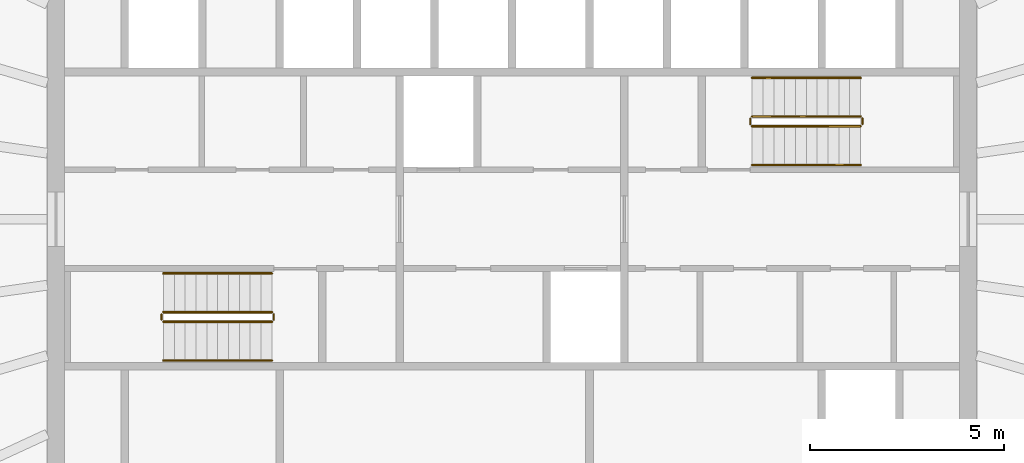
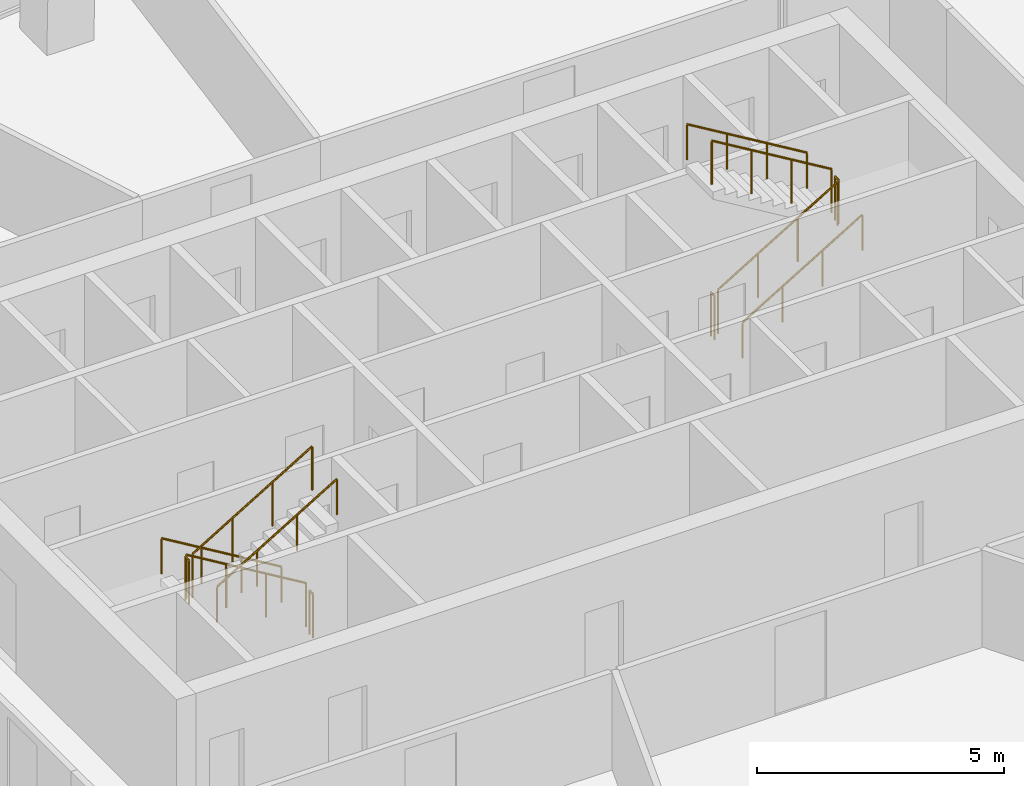
# One storey, part 10 of 10: 12 railings.
"""IFC4 building model written with IfcOpenShell, lengths in metres."""

from ifc_helpers import new_model, si_unit, direction, frame, origin, origin_2d, place, context, subcontext, project, spatial, circle, extrude, material, type_object, element, save


model = new_model("IFC4")

# Units and contexts
model_context = context("Model", 3, precision=1e-05, world=origin(), true_north=direction((0.0, 1.0)))
body_context = subcontext(model_context, "Body", "Model", "MODEL_VIEW")
ifc_project = project(units=[si_unit("LENGTHUNIT", "METRE"), si_unit("AREAUNIT", "SQUARE_METRE"), si_unit("VOLUMEUNIT", "CUBIC_METRE"), si_unit("PLANEANGLEUNIT", "RADIAN"), si_unit("MASSUNIT", "GRAM", prefix="KILO")], contexts=[model_context])

# Site, building, storey
site_placement = place(None, origin())
site = spatial("IfcSite", under=ifc_project, at=site_placement, CompositionType="ELEMENT")
building_placement = place(site_placement, origin())
building = spatial("IfcBuilding", under=site, at=building_placement, Name="Siaravel Broadcast Tower", CompositionType="ELEMENT")
storey_placement = place(building_placement, frame((0.0, 0.0, 164.5)))
storey = spatial("IfcBuildingStorey", under=building, at=storey_placement, Name="L39", CompositionType="ELEMENT", Elevation=164.5)

# Railings
ifc_material = material(Name="Stainless steel 316L", Category="steel")
railing_type_1 = type_object("IfcRailingType", Name="Stair guard 1100", PredefinedType="GUARDRAIL", material=ifc_material)
railing_1_placement = place(storey_placement, frame((-6.199951171875, -2.39990234375, 0.168212890625)))
element("IfcRailing", 1, at=railing_1_placement, inside=storey, type_object=railing_type_1, Name="L39 ST-1 stair guard 1", PredefinedType="GUARDRAIL", context=body_context, shape_type="SweptSolid", body=[
    extrude(circle(Radius=0.02392578125, at=origin_2d()), frame((0.0, 0.0, 1.076171875), z_axis=(-0.857242211, 0.0, 0.514913383), x_axis=(0.0, -1.0, 0.0)), (0.0, 0.0, 1.0), 3.266357421875),
    extrude(circle(Radius=0.02099609375, at=origin_2d()), origin(), (0.0, 0.0, 1.0), 1.052001953125),
    extrude(circle(Radius=0.02099609375, at=origin_2d()), frame((-0.933349609375, 0.0, 0.560546875)), (0.0, 0.0, 1.0), 1.052001953125),
    extrude(circle(Radius=0.02099609375, at=origin_2d()), frame((-1.86669921875, 0.0, 1.121337890625)), (0.0, 0.0, 1.0), 1.052001953125),
    extrude(circle(Radius=0.02099609375, at=origin_2d()), frame((-2.800048828125, 0.0, 1.681884765625)), (0.0, 0.0, 1.0), 1.052001953125),
])
railing_2_placement = place(storey_placement, frame((-9.050048828125, -2.449951171875, 1.85009765625)))
element("IfcRailing", 2, at=railing_2_placement, inside=storey, type_object=railing_type_1, Name="L39 ST-1 stair guard 2", PredefinedType="GUARDRAIL", context=body_context, shape_type="SweptSolid", body=[
    extrude(circle(Radius=0.02392578125, at=origin_2d()), frame((0.0, 0.0, 1.076171875), z_axis=(0.0, -1.0, 0.0), x_axis=(1.0, 0.0, 0.0)), (0.0, 0.0, 1.0), 0.150146484375),
    extrude(circle(Radius=0.02099609375, at=origin_2d()), origin(), (0.0, 0.0, 1.0), 1.052001953125),
    extrude(circle(Radius=0.02099609375, at=origin_2d()), frame((0.0, -0.150146484375, 0.0)), (0.0, 0.0, 1.0), 1.052001953125),
])
railing_3_placement = place(storey_placement, frame((-9.0, -2.64990234375, 2.01806640625)))
element("IfcRailing", 3, at=railing_3_placement, inside=storey, type_object=railing_type_1, Name="L39 ST-1 stair guard 3", PredefinedType="GUARDRAIL", context=body_context, shape_type="SweptSolid", body=[
    extrude(circle(Radius=0.02392578125, at=origin_2d()), frame((0.0, 0.0, 1.076171875), z_axis=(0.857242211, 0.0, 0.514913383), x_axis=(0.0, 1.0, 0.0)), (0.0, 0.0, 1.0), 3.266357421875),
    extrude(circle(Radius=0.02099609375, at=origin_2d()), origin(), (0.0, 0.0, 1.0), 1.052001953125),
    extrude(circle(Radius=0.02099609375, at=origin_2d()), frame((0.933349609375, 0.0, 0.560546875)), (0.0, 0.0, 1.0), 1.052001953125),
    extrude(circle(Radius=0.02099609375, at=origin_2d()), frame((1.86669921875, 0.0, 1.121337890625)), (0.0, 0.0, 1.0), 1.052001953125),
    extrude(circle(Radius=0.02099609375, at=origin_2d()), frame((2.800048828125, 0.0, 1.681884765625)), (0.0, 0.0, 1.0), 1.052001953125),
])
railing_4_placement = place(storey_placement, frame((-6.14990234375, -2.449951171875, 0.0)))
element("IfcRailing", 4, at=railing_4_placement, inside=storey, type_object=railing_type_1, Name="L39 ST-1 stair guard 4", PredefinedType="GUARDRAIL", context=body_context, shape_type="SweptSolid", body=[
    extrude(circle(Radius=0.02392578125, at=origin_2d()), frame((0.0, 0.0, 1.076171875), z_axis=(0.0, -1.0, 0.0), x_axis=(1.0, 0.0, 0.0)), (0.0, 0.0, 1.0), 0.150146484375),
    extrude(circle(Radius=0.02099609375, at=origin_2d()), origin(), (0.0, 0.0, 1.0), 1.052001953125),
    extrude(circle(Radius=0.02099609375, at=origin_2d()), frame((0.0, -0.150146484375, 0.0)), (0.0, 0.0, 1.0), 1.052001953125),
])
railing_5_placement = place(storey_placement, frame((6.199951171875, 2.39990234375, 0.168212890625)))
element("IfcRailing", 5, at=railing_5_placement, inside=storey, type_object=railing_type_1, Name="L39 ST-2 stair guard 1", PredefinedType="GUARDRAIL", context=body_context, shape_type="SweptSolid", body=[
    extrude(circle(Radius=0.02392578125, at=origin_2d()), frame((0.0, 0.0, 1.076171875), z_axis=(0.857242211, 0.0, 0.514913383), x_axis=(0.0, 1.0, 0.0)), (0.0, 0.0, 1.0), 3.266357421875),
    extrude(circle(Radius=0.02099609375, at=origin_2d()), origin(), (0.0, 0.0, 1.0), 1.052001953125),
    extrude(circle(Radius=0.02099609375, at=origin_2d()), frame((0.933349609375, 0.0, 0.560546875)), (0.0, 0.0, 1.0), 1.052001953125),
    extrude(circle(Radius=0.02099609375, at=origin_2d()), frame((1.86669921875, 0.0, 1.121337890625)), (0.0, 0.0, 1.0), 1.052001953125),
    extrude(circle(Radius=0.02099609375, at=origin_2d()), frame((2.800048828125, 0.0, 1.681884765625)), (0.0, 0.0, 1.0), 1.052001953125),
])
railing_6_placement = place(storey_placement, frame((9.050048828125, 2.449951171875, 1.85009765625)))
element("IfcRailing", 6, at=railing_6_placement, inside=storey, type_object=railing_type_1, Name="L39 ST-2 stair guard 2", PredefinedType="GUARDRAIL", context=body_context, shape_type="SweptSolid", body=[
    extrude(circle(Radius=0.02392578125, at=origin_2d()), frame((0.0, 0.0, 1.076171875), z_axis=(0.0, 1.0, 0.0), x_axis=(-1.0, 0.0, 0.0)), (0.0, 0.0, 1.0), 0.150146484375),
    extrude(circle(Radius=0.02099609375, at=origin_2d()), origin(), (0.0, 0.0, 1.0), 1.052001953125),
    extrude(circle(Radius=0.02099609375, at=origin_2d()), frame((0.0, 0.150146484375, 0.0)), (0.0, 0.0, 1.0), 1.052001953125),
])
railing_7_placement = place(storey_placement, frame((9.0, 2.64990234375, 2.01806640625)))
element("IfcRailing", 7, at=railing_7_placement, inside=storey, type_object=railing_type_1, Name="L39 ST-2 stair guard 3", PredefinedType="GUARDRAIL", context=body_context, shape_type="SweptSolid", body=[
    extrude(circle(Radius=0.02392578125, at=origin_2d()), frame((0.0, 0.0, 1.076171875), z_axis=(-0.857242211, 0.0, 0.514913383), x_axis=(0.0, -1.0, 0.0)), (0.0, 0.0, 1.0), 3.266357421875),
    extrude(circle(Radius=0.02099609375, at=origin_2d()), origin(), (0.0, 0.0, 1.0), 1.052001953125),
    extrude(circle(Radius=0.02099609375, at=origin_2d()), frame((-0.933349609375, 0.0, 0.560546875)), (0.0, 0.0, 1.0), 1.052001953125),
    extrude(circle(Radius=0.02099609375, at=origin_2d()), frame((-1.86669921875, 0.0, 1.121337890625)), (0.0, 0.0, 1.0), 1.052001953125),
    extrude(circle(Radius=0.02099609375, at=origin_2d()), frame((-2.800048828125, 0.0, 1.681884765625)), (0.0, 0.0, 1.0), 1.052001953125),
])
railing_8_placement = place(storey_placement, frame((6.14990234375, 2.449951171875, 0.0)))
element("IfcRailing", 8, at=railing_8_placement, inside=storey, type_object=railing_type_1, Name="L39 ST-2 stair guard 4", PredefinedType="GUARDRAIL", context=body_context, shape_type="SweptSolid", body=[
    extrude(circle(Radius=0.02392578125, at=origin_2d()), frame((0.0, 0.0, 1.076171875), z_axis=(0.0, 1.0, 0.0), x_axis=(-1.0, 0.0, 0.0)), (0.0, 0.0, 1.0), 0.150146484375),
    extrude(circle(Radius=0.02099609375, at=origin_2d()), origin(), (0.0, 0.0, 1.0), 1.052001953125),
    extrude(circle(Radius=0.02099609375, at=origin_2d()), frame((0.0, 0.150146484375, 0.0)), (0.0, 0.0, 1.0), 1.052001953125),
])
railing_type_2 = type_object("IfcRailingType", Name="Stair handrail 900", PredefinedType="HANDRAIL", material=ifc_material)
railing_9_placement = place(storey_placement, frame((-6.199951171875, -1.39990234375, 0.168212890625)))
element("IfcRailing", 9, at=railing_9_placement, inside=storey, type_object=railing_type_2, Name="L39 ST-1 stair handrail 1", PredefinedType="HANDRAIL", context=body_context, shape_type="SweptSolid", body=[
    extrude(circle(Radius=0.02392578125, at=origin_2d()), frame((0.0, 0.0, 0.8759765625), z_axis=(-0.857242211, 0.0, 0.514913383), x_axis=(0.0, -1.0, 0.0)), (0.0, 0.0, 1.0), 3.266357421875),
    extrude(circle(Radius=0.02099609375, at=origin_2d()), origin(), (0.0, 0.0, 1.0), 0.851806640625),
    extrude(circle(Radius=0.02099609375, at=origin_2d()), frame((-0.933349609375, 0.0, 0.560546875)), (0.0, 0.0, 1.0), 0.851806640625),
    extrude(circle(Radius=0.02099609375, at=origin_2d()), frame((-1.86669921875, 0.0, 1.121337890625)), (0.0, 0.0, 1.0), 0.851806640625),
    extrude(circle(Radius=0.02099609375, at=origin_2d()), frame((-2.800048828125, 0.0, 1.681884765625)), (0.0, 0.0, 1.0), 0.851806640625),
])
for number, where, name in (
    (10, (-9.0, -3.64990234375, 2.01806640625), "L39 ST-1 stair handrail 2"),
    (11, (6.199951171875, 1.39990234375, 0.168212890625), "L39 ST-2 stair handrail 1"),
):
    element("IfcRailing", number, at=place(storey_placement, frame(where)), inside=storey, type_object=railing_type_2, Name=name, PredefinedType="HANDRAIL", context=body_context, shape_type="SweptSolid", body=[
        extrude(circle(Radius=0.02392578125, at=origin_2d()), frame((0.0, 0.0, 0.8759765625), z_axis=(0.857242211, 0.0, 0.514913383), x_axis=(0.0, 1.0, 0.0)), (0.0, 0.0, 1.0), 3.266357421875),
        extrude(circle(Radius=0.02099609375, at=origin_2d()), origin(), (0.0, 0.0, 1.0), 0.851806640625),
        extrude(circle(Radius=0.02099609375, at=origin_2d()), frame((0.933349609375, 0.0, 0.560546875)), (0.0, 0.0, 1.0), 0.851806640625),
        extrude(circle(Radius=0.02099609375, at=origin_2d()), frame((1.86669921875, 0.0, 1.121337890625)), (0.0, 0.0, 1.0), 0.851806640625),
        extrude(circle(Radius=0.02099609375, at=origin_2d()), frame((2.800048828125, 0.0, 1.681884765625)), (0.0, 0.0, 1.0), 0.851806640625),
    ])
railing_10_placement = place(storey_placement, frame((9.0, 3.64990234375, 2.01806640625)))
element("IfcRailing", 12, at=railing_10_placement, inside=storey, type_object=railing_type_2, Name="L39 ST-2 stair handrail 2", PredefinedType="HANDRAIL", context=body_context, shape_type="SweptSolid", body=[
    extrude(circle(Radius=0.02392578125, at=origin_2d()), frame((0.0, 0.0, 0.8759765625), z_axis=(-0.857242211, 0.0, 0.514913383), x_axis=(0.0, -1.0, 0.0)), (0.0, 0.0, 1.0), 3.266357421875),
    extrude(circle(Radius=0.02099609375, at=origin_2d()), origin(), (0.0, 0.0, 1.0), 0.851806640625),
    extrude(circle(Radius=0.02099609375, at=origin_2d()), frame((-0.933349609375, 0.0, 0.560546875)), (0.0, 0.0, 1.0), 0.851806640625),
    extrude(circle(Radius=0.02099609375, at=origin_2d()), frame((-1.86669921875, 0.0, 1.121337890625)), (0.0, 0.0, 1.0), 0.851806640625),
    extrude(circle(Radius=0.02099609375, at=origin_2d()), frame((-2.800048828125, 0.0, 1.681884765625)), (0.0, 0.0, 1.0), 0.851806640625),
])

save(model, "model.ifc")
